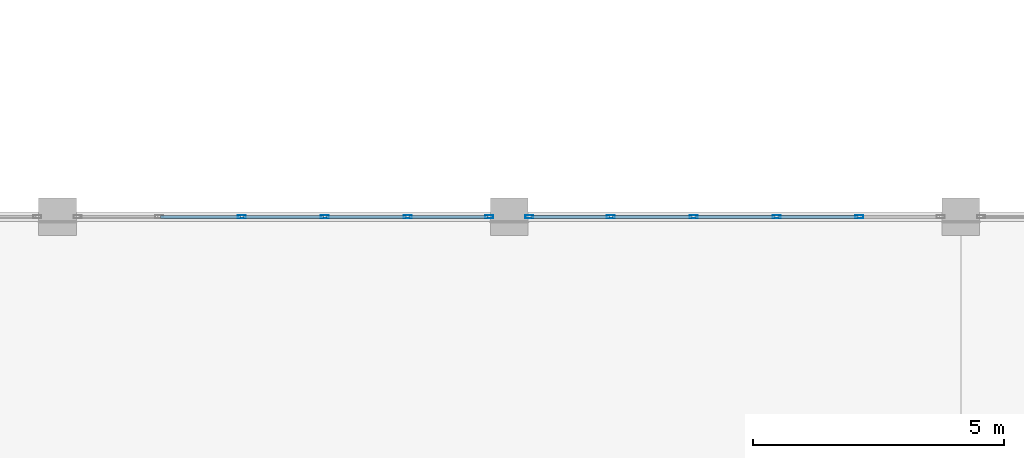
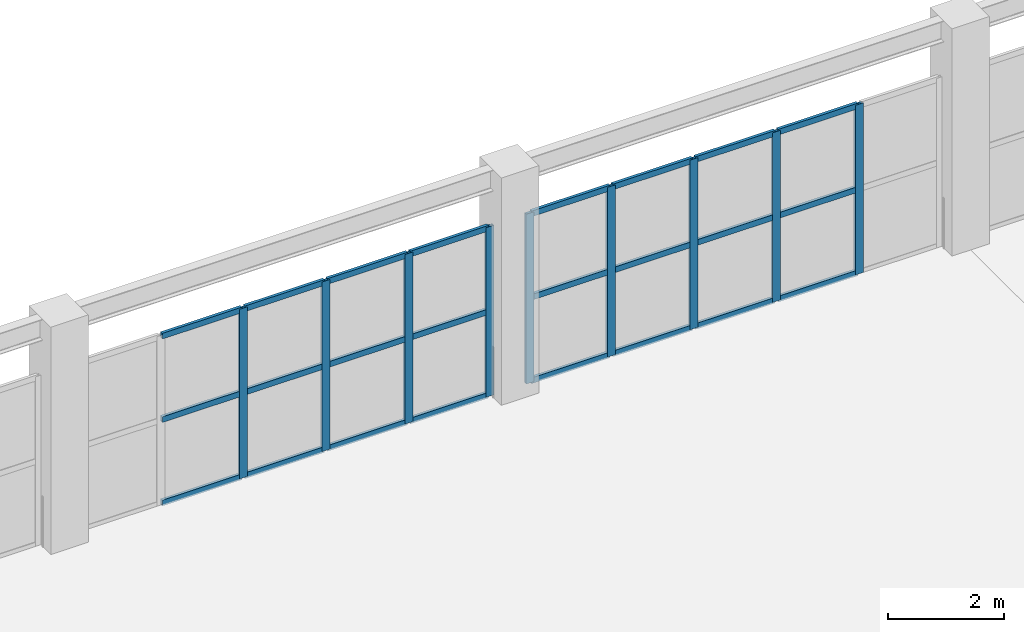
# One storey, part 44 of 89: 33 members, 2 elements without a shape of their own.
"""IFC4 building model written with IfcOpenShell, lengths in metres."""

from ifc_helpers import new_model, si_unit, direction, frame, origin, origin_2d, place, context, subcontext, project, spatial, hollow_rectangle, extrude, material, layer, layer_set, material_profile, profile_set, type_object, element, aggregate, save


model = new_model("IFC4")

# Units and contexts
model_context = context("Model", 3, precision=1e-05, world=origin(), true_north=direction((0.0, 1.0)))
body_context = subcontext(model_context, "Body", "Model", "MODEL_VIEW")
ifc_project = project(units=[si_unit("LENGTHUNIT", "METRE"), si_unit("AREAUNIT", "SQUARE_METRE"), si_unit("VOLUMEUNIT", "CUBIC_METRE"), si_unit("PLANEANGLEUNIT", "RADIAN"), si_unit("MASSUNIT", "GRAM", prefix="KILO")], contexts=[model_context])

# Site, building, storey
site_placement = place(None, origin())
site = spatial("IfcSite", under=ifc_project, at=site_placement, CompositionType="ELEMENT")
building_placement = place(site_placement, origin())
building = spatial("IfcBuilding", under=site, at=building_placement, Name="Dornveld Trade and Exhibition Forum", CompositionType="ELEMENT")
storey_placement = place(building_placement, frame((0.0, 0.0, 12.0)))
storey = spatial("IfcBuildingStorey", under=building, at=storey_placement, Name="L02", CompositionType="ELEMENT", Elevation=12.0)

# Curtain wall, members
ifc_material_1 = material(Name="Dark-bronze anodised aluminium and low-E glass", Category="aluminium")
ifc_layer_1 = layer(ifc_material_1, 0.154052734375)
ifc_layer_set_1 = layer_set([ifc_layer_1], Name="Dark-bronze anodised aluminium and low-E glass")
curtain_wall_type_1 = type_object("IfcCurtainWallType", Name="CW-SYS-04", PredefinedType="USERDEFINED", material=ifc_layer_set_1)
curtain_wall_1_placement = place(storey_placement, origin())
curtain_wall_1 = element("IfcCurtainWall", 1, at=curtain_wall_1_placement, inside=storey, type_object=curtain_wall_type_1, Name="L02 unitised curtain wall 22", ObjectType="UNITISED_CURTAIN_WALL", PredefinedType="USERDEFINED")
ifc_material_2 = material(Name="Dark-bronze anodised aluminium", Category="aluminium")
ifc_material_profile_1 = material_profile(ifc_material_2, hollow_rectangle(XDim=0.06005859375, YDim=0.159912109375, WallThickness=0.00390625, at=origin_2d()), Name="RHS 160x60x4")
ifc_profile_set_1 = profile_set([ifc_material_profile_1], Name="Dark-bronze anodised aluminium")
member_type_1 = type_object("IfcMemberType", Name="CW-MUL-160", PredefinedType="MULLION", material=ifc_profile_set_1)
member_1_placement = place(storey_placement, frame((44.59912109375, 135.0, -0.00390625), z_axis=(0.0, 0.0, 1.0), x_axis=(0.0, -1.0, 0.0)))
member_1 = element("IfcMember", 2, at=member_1_placement, type_object=member_type_1, Name="CW-04 mullion 1", PredefinedType="MULLION", context=body_context, shape_type="SweptSolid", body=[
    extrude(hollow_rectangle(XDim=0.06005859375, YDim=0.159912109375, WallThickness=0.00390625, at=origin_2d()), origin(), (0.0, 0.0, 1.0), 3.583984375),
])
member_2_placement = place(storey_placement, frame((42.977294921875, 135.0, -0.00390625), z_axis=(0.0, 0.0, 1.0), x_axis=(0.0, -1.0, 0.0)))
member_2 = element("IfcMember", 3, at=member_2_placement, type_object=member_type_1, Name="CW-04 mullion 2", PredefinedType="MULLION", context=body_context, shape_type="SweptSolid", body=[
    extrude(hollow_rectangle(XDim=0.06005859375, YDim=0.159912109375, WallThickness=0.00390625, at=origin_2d()), origin(), (0.0, 0.0, 1.0), 3.583984375),
])
member_3_placement = place(storey_placement, frame((41.32568359375, 135.0, -0.00390625), z_axis=(0.0, 0.0, 1.0), x_axis=(0.0, -1.0, 0.0)))
member_3 = element("IfcMember", 4, at=member_3_placement, type_object=member_type_1, Name="CW-04 mullion 3", PredefinedType="MULLION", context=body_context, shape_type="SweptSolid", body=[
    extrude(hollow_rectangle(XDim=0.06005859375, YDim=0.159912109375, WallThickness=0.00390625, at=origin_2d()), origin(), (0.0, 0.0, 1.0), 3.583984375),
])
member_4_placement = place(storey_placement, frame((39.67431640625, 135.0, -0.00390625), z_axis=(0.0, 0.0, 1.0), x_axis=(0.0, -1.0, 0.0)))
member_4 = element("IfcMember", 5, at=member_4_placement, type_object=member_type_1, Name="CW-04 mullion 4", PredefinedType="MULLION", context=body_context, shape_type="SweptSolid", body=[
    extrude(hollow_rectangle(XDim=0.06005859375, YDim=0.159912109375, WallThickness=0.00390625, at=origin_2d()), origin(), (0.0, 0.0, 1.0), 3.583984375),
])

ifc_material_3 = material(Name="Dark-bronze anodised aluminium and low-E glass", Category="aluminium")
ifc_layer_2 = layer(ifc_material_3, 0.159912109375)
ifc_layer_set_2 = layer_set([ifc_layer_2], Name="Dark-bronze anodised aluminium and low-E glass")
curtain_wall_type_2 = type_object("IfcCurtainWallType", Name="CW-SYS-06", PredefinedType="USERDEFINED", material=ifc_layer_set_2)
curtain_wall_2_placement = place(storey_placement, origin())
curtain_wall_2 = element("IfcCurtainWall", 6, at=curtain_wall_2_placement, inside=storey, type_object=curtain_wall_type_2, Name="L02 unitised curtain wall 24", ObjectType="UNITISED_CURTAIN_WALL", PredefinedType="USERDEFINED")
member_5_placement = place(storey_placement, frame((51.977294921875, 135.0, -0.00390625), z_axis=(0.0, 0.0, 1.0), x_axis=(0.0, -1.0, 0.0)))
member_5 = element("IfcMember", 7, at=member_5_placement, type_object=member_type_1, Name="CW-06 mullion 2", PredefinedType="MULLION", context=body_context, shape_type="SweptSolid", body=[
    extrude(hollow_rectangle(XDim=0.06005859375, YDim=0.159912109375, WallThickness=0.00390625, at=origin_2d()), origin(), (0.0, 0.0, 1.0), 3.583984375),
])
member_6_placement = place(storey_placement, frame((50.32568359375, 135.0, -0.00390625), z_axis=(0.0, 0.0, 1.0), x_axis=(0.0, -1.0, 0.0)))
member_6 = element("IfcMember", 8, at=member_6_placement, type_object=member_type_1, Name="CW-06 mullion 3", PredefinedType="MULLION", context=body_context, shape_type="SweptSolid", body=[
    extrude(hollow_rectangle(XDim=0.06005859375, YDim=0.159912109375, WallThickness=0.00390625, at=origin_2d()), origin(), (0.0, 0.0, 1.0), 3.583984375),
])
member_7_placement = place(storey_placement, frame((48.67431640625, 135.0, -0.00390625), z_axis=(0.0, 0.0, 1.0), x_axis=(0.0, -1.0, 0.0)))
member_7 = element("IfcMember", 9, at=member_7_placement, type_object=member_type_1, Name="CW-06 mullion 4", PredefinedType="MULLION", context=body_context, shape_type="SweptSolid", body=[
    extrude(hollow_rectangle(XDim=0.06005859375, YDim=0.159912109375, WallThickness=0.00390625, at=origin_2d()), origin(), (0.0, 0.0, 1.0), 3.583984375),
])
member_8_placement = place(storey_placement, frame((47.022705078125, 135.0, -0.00390625), z_axis=(0.0, 0.0, 1.0), x_axis=(0.0, -1.0, 0.0)))
member_8 = element("IfcMember", 10, at=member_8_placement, type_object=member_type_1, Name="CW-06 mullion 5", PredefinedType="MULLION", context=body_context, shape_type="SweptSolid", body=[
    extrude(hollow_rectangle(XDim=0.06005859375, YDim=0.159912109375, WallThickness=0.00390625, at=origin_2d()), origin(), (0.0, 0.0, 1.0), 3.583984375),
])
member_9_placement = place(storey_placement, frame((45.40087890625, 135.0, -0.00390625), z_axis=(0.0, 0.0, 1.0), x_axis=(0.0, -1.0, 0.0)))
member_9 = element("IfcMember", 11, at=member_9_placement, type_object=member_type_1, Name="CW-06 mullion 6", PredefinedType="MULLION", context=body_context, shape_type="SweptSolid", body=[
    extrude(hollow_rectangle(XDim=0.06005859375, YDim=0.159912109375, WallThickness=0.00390625, at=origin_2d()), origin(), (0.0, 0.0, 1.0), 3.583984375),
])

# Member
ifc_material_4 = material(Name="Dark-bronze anodised aluminium", Category="aluminium")
ifc_material_profile_2 = material_profile(ifc_material_4, hollow_rectangle(XDim=0.06005859375, YDim=0.1201171875, WallThickness=0.00390625, at=origin_2d()), Name="RHS 120x60x4")
ifc_profile_set_2 = profile_set([ifc_material_profile_2], Name="Dark-bronze anodised aluminium")
member_type_2 = type_object("IfcMemberType", Name="CW-TRN-120", PredefinedType="USERDEFINED", material=ifc_profile_set_2)
member_10_placement = place(storey_placement, frame((44.569091796875, 135.0, 0.02587890625), z_axis=(-1.0, 0.0, 0.0), x_axis=(0.0, -1.0, 0.0)))
member_10 = element("IfcMember", 12, at=member_10_placement, type_object=member_type_2, Name="CW-04 transom 1.1", ObjectType="TRANSOM", PredefinedType="USERDEFINED", context=body_context, shape_type="SweptSolid", body=[
    extrude(hollow_rectangle(XDim=0.06005859375, YDim=0.1201171875, WallThickness=0.00390625, at=origin_2d()), origin(), (0.0, 0.0, 1.0), 1.561767578125),
])

member_11_placement = place(storey_placement, frame((44.569091796875, 135.0, 1.7880859375), z_axis=(-1.0, 0.0, 0.0), x_axis=(0.0, -1.0, 0.0)))
member_11 = element("IfcMember", 13, at=member_11_placement, type_object=member_type_2, Name="CW-04 transom 1.2", ObjectType="TRANSOM", PredefinedType="USERDEFINED", context=body_context, shape_type="SweptSolid", body=[
    extrude(hollow_rectangle(XDim=0.06005859375, YDim=0.1201171875, WallThickness=0.00390625, at=origin_2d()), origin(), (0.0, 0.0, 1.0), 1.561767578125),
])

member_12_placement = place(storey_placement, frame((44.569091796875, 135.0, 3.550048828125), z_axis=(-1.0, 0.0, 0.0), x_axis=(0.0, -1.0, 0.0)))
member_12 = element("IfcMember", 14, at=member_12_placement, type_object=member_type_2, Name="CW-04 transom 1.3", ObjectType="TRANSOM", PredefinedType="USERDEFINED", context=body_context, shape_type="SweptSolid", body=[
    extrude(hollow_rectangle(XDim=0.06005859375, YDim=0.1201171875, WallThickness=0.00390625, at=origin_2d()), origin(), (0.0, 0.0, 1.0), 1.561767578125),
])

member_13_placement = place(storey_placement, frame((42.947509765625, 135.0, 0.02587890625), z_axis=(-1.0, 0.0, 0.0), x_axis=(0.0, -1.0, 0.0)))
member_13 = element("IfcMember", 15, at=member_13_placement, type_object=member_type_2, Name="CW-04 transom 2.1", ObjectType="TRANSOM", PredefinedType="USERDEFINED", context=body_context, shape_type="SweptSolid", body=[
    extrude(hollow_rectangle(XDim=0.06005859375, YDim=0.1201171875, WallThickness=0.00390625, at=origin_2d()), origin(), (0.0, 0.0, 1.0), 1.591796875),
])

member_14_placement = place(storey_placement, frame((42.947509765625, 135.0, 1.7880859375), z_axis=(-1.0, 0.0, 0.0), x_axis=(0.0, -1.0, 0.0)))
member_14 = element("IfcMember", 16, at=member_14_placement, type_object=member_type_2, Name="CW-04 transom 2.2", ObjectType="TRANSOM", PredefinedType="USERDEFINED", context=body_context, shape_type="SweptSolid", body=[
    extrude(hollow_rectangle(XDim=0.06005859375, YDim=0.1201171875, WallThickness=0.00390625, at=origin_2d()), origin(), (0.0, 0.0, 1.0), 1.591796875),
])

member_15_placement = place(storey_placement, frame((42.947509765625, 135.0, 3.550048828125), z_axis=(-1.0, 0.0, 0.0), x_axis=(0.0, -1.0, 0.0)))
member_15 = element("IfcMember", 17, at=member_15_placement, type_object=member_type_2, Name="CW-04 transom 2.3", ObjectType="TRANSOM", PredefinedType="USERDEFINED", context=body_context, shape_type="SweptSolid", body=[
    extrude(hollow_rectangle(XDim=0.06005859375, YDim=0.1201171875, WallThickness=0.00390625, at=origin_2d()), origin(), (0.0, 0.0, 1.0), 1.591796875),
])

member_16_placement = place(storey_placement, frame((41.2958984375, 135.0, 0.02587890625), z_axis=(-1.0, 0.0, 0.0), x_axis=(0.0, -1.0, 0.0)))
member_16 = element("IfcMember", 18, at=member_16_placement, type_object=member_type_2, Name="CW-04 transom 3.1", ObjectType="TRANSOM", PredefinedType="USERDEFINED", context=body_context, shape_type="SweptSolid", body=[
    extrude(hollow_rectangle(XDim=0.06005859375, YDim=0.1201171875, WallThickness=0.00390625, at=origin_2d()), origin(), (0.0, 0.0, 1.0), 1.591796875),
])

member_17_placement = place(storey_placement, frame((41.2958984375, 135.0, 1.7880859375), z_axis=(-1.0, 0.0, 0.0), x_axis=(0.0, -1.0, 0.0)))
member_17 = element("IfcMember", 19, at=member_17_placement, type_object=member_type_2, Name="CW-04 transom 3.2", ObjectType="TRANSOM", PredefinedType="USERDEFINED", context=body_context, shape_type="SweptSolid", body=[
    extrude(hollow_rectangle(XDim=0.06005859375, YDim=0.1201171875, WallThickness=0.00390625, at=origin_2d()), origin(), (0.0, 0.0, 1.0), 1.591796875),
])

member_18_placement = place(storey_placement, frame((41.2958984375, 135.0, 3.550048828125), z_axis=(-1.0, 0.0, 0.0), x_axis=(0.0, -1.0, 0.0)))
member_18 = element("IfcMember", 20, at=member_18_placement, type_object=member_type_2, Name="CW-04 transom 3.3", ObjectType="TRANSOM", PredefinedType="USERDEFINED", context=body_context, shape_type="SweptSolid", body=[
    extrude(hollow_rectangle(XDim=0.06005859375, YDim=0.1201171875, WallThickness=0.00390625, at=origin_2d()), origin(), (0.0, 0.0, 1.0), 1.591796875),
])

member_19_placement = place(storey_placement, frame((39.644287109375, 135.0, 0.02587890625), z_axis=(-1.0, 0.0, 0.0), x_axis=(0.0, -1.0, 0.0)))
member_19 = element("IfcMember", 21, at=member_19_placement, type_object=member_type_2, Name="CW-04 transom 4.1", ObjectType="TRANSOM", PredefinedType="USERDEFINED", context=body_context, shape_type="SweptSolid", body=[
    extrude(hollow_rectangle(XDim=0.06005859375, YDim=0.1201171875, WallThickness=0.00390625, at=origin_2d()), origin(), (0.0, 0.0, 1.0), 1.591796875),
])

member_20_placement = place(storey_placement, frame((39.644287109375, 135.0, 1.7880859375), z_axis=(-1.0, 0.0, 0.0), x_axis=(0.0, -1.0, 0.0)))
member_20 = element("IfcMember", 22, at=member_20_placement, type_object=member_type_2, Name="CW-04 transom 4.2", ObjectType="TRANSOM", PredefinedType="USERDEFINED", context=body_context, shape_type="SweptSolid", body=[
    extrude(hollow_rectangle(XDim=0.06005859375, YDim=0.1201171875, WallThickness=0.00390625, at=origin_2d()), origin(), (0.0, 0.0, 1.0), 1.591796875),
])

member_21_placement = place(storey_placement, frame((39.644287109375, 135.0, 3.550048828125), z_axis=(-1.0, 0.0, 0.0), x_axis=(0.0, -1.0, 0.0)))
member_21 = element("IfcMember", 23, at=member_21_placement, type_object=member_type_2, Name="CW-04 transom 4.3", ObjectType="TRANSOM", PredefinedType="USERDEFINED", context=body_context, shape_type="SweptSolid", body=[
    extrude(hollow_rectangle(XDim=0.06005859375, YDim=0.1201171875, WallThickness=0.00390625, at=origin_2d()), origin(), (0.0, 0.0, 1.0), 1.591796875),
])

aggregate(curtain_wall_1, [member_1, member_2, member_3, member_4, member_10, member_11, member_12, member_13, member_14, member_15, member_16, member_17, member_18, member_19, member_20, member_21])

member_22_placement = place(storey_placement, frame((51.947509765625, 135.0, 0.02587890625), z_axis=(-1.0, 0.0, 0.0), x_axis=(0.0, -1.0, 0.0)))
member_22 = element("IfcMember", 24, at=member_22_placement, type_object=member_type_2, Name="CW-06 transom 2.1", ObjectType="TRANSOM", PredefinedType="USERDEFINED", context=body_context, shape_type="SweptSolid", body=[
    extrude(hollow_rectangle(XDim=0.06005859375, YDim=0.1201171875, WallThickness=0.00390625, at=origin_2d()), origin(), (0.0, 0.0, 1.0), 1.591796875),
])

member_23_placement = place(storey_placement, frame((51.947509765625, 135.0, 1.7880859375), z_axis=(-1.0, 0.0, 0.0), x_axis=(0.0, -1.0, 0.0)))
member_23 = element("IfcMember", 25, at=member_23_placement, type_object=member_type_2, Name="CW-06 transom 2.2", ObjectType="TRANSOM", PredefinedType="USERDEFINED", context=body_context, shape_type="SweptSolid", body=[
    extrude(hollow_rectangle(XDim=0.06005859375, YDim=0.1201171875, WallThickness=0.00390625, at=origin_2d()), origin(), (0.0, 0.0, 1.0), 1.591796875),
])

member_24_placement = place(storey_placement, frame((51.947509765625, 135.0, 3.550048828125), z_axis=(-1.0, 0.0, 0.0), x_axis=(0.0, -1.0, 0.0)))
member_24 = element("IfcMember", 26, at=member_24_placement, type_object=member_type_2, Name="CW-06 transom 2.3", ObjectType="TRANSOM", PredefinedType="USERDEFINED", context=body_context, shape_type="SweptSolid", body=[
    extrude(hollow_rectangle(XDim=0.06005859375, YDim=0.1201171875, WallThickness=0.00390625, at=origin_2d()), origin(), (0.0, 0.0, 1.0), 1.591796875),
])

member_25_placement = place(storey_placement, frame((50.2958984375, 135.0, 0.02587890625), z_axis=(-1.0, 0.0, 0.0), x_axis=(0.0, -1.0, 0.0)))
member_25 = element("IfcMember", 27, at=member_25_placement, type_object=member_type_2, Name="CW-06 transom 3.1", ObjectType="TRANSOM", PredefinedType="USERDEFINED", context=body_context, shape_type="SweptSolid", body=[
    extrude(hollow_rectangle(XDim=0.06005859375, YDim=0.1201171875, WallThickness=0.00390625, at=origin_2d()), origin(), (0.0, 0.0, 1.0), 1.591796875),
])

member_26_placement = place(storey_placement, frame((50.2958984375, 135.0, 1.7880859375), z_axis=(-1.0, 0.0, 0.0), x_axis=(0.0, -1.0, 0.0)))
member_26 = element("IfcMember", 28, at=member_26_placement, type_object=member_type_2, Name="CW-06 transom 3.2", ObjectType="TRANSOM", PredefinedType="USERDEFINED", context=body_context, shape_type="SweptSolid", body=[
    extrude(hollow_rectangle(XDim=0.06005859375, YDim=0.1201171875, WallThickness=0.00390625, at=origin_2d()), origin(), (0.0, 0.0, 1.0), 1.591796875),
])

member_27_placement = place(storey_placement, frame((50.2958984375, 135.0, 3.550048828125), z_axis=(-1.0, 0.0, 0.0), x_axis=(0.0, -1.0, 0.0)))
member_27 = element("IfcMember", 29, at=member_27_placement, type_object=member_type_2, Name="CW-06 transom 3.3", ObjectType="TRANSOM", PredefinedType="USERDEFINED", context=body_context, shape_type="SweptSolid", body=[
    extrude(hollow_rectangle(XDim=0.06005859375, YDim=0.1201171875, WallThickness=0.00390625, at=origin_2d()), origin(), (0.0, 0.0, 1.0), 1.591796875),
])

member_28_placement = place(storey_placement, frame((48.644287109375, 135.0, 0.02587890625), z_axis=(-1.0, 0.0, 0.0), x_axis=(0.0, -1.0, 0.0)))
member_28 = element("IfcMember", 30, at=member_28_placement, type_object=member_type_2, Name="CW-06 transom 4.1", ObjectType="TRANSOM", PredefinedType="USERDEFINED", context=body_context, shape_type="SweptSolid", body=[
    extrude(hollow_rectangle(XDim=0.06005859375, YDim=0.1201171875, WallThickness=0.00390625, at=origin_2d()), origin(), (0.0, 0.0, 1.0), 1.591796875),
])

member_29_placement = place(storey_placement, frame((48.644287109375, 135.0, 1.7880859375), z_axis=(-1.0, 0.0, 0.0), x_axis=(0.0, -1.0, 0.0)))
member_29 = element("IfcMember", 31, at=member_29_placement, type_object=member_type_2, Name="CW-06 transom 4.2", ObjectType="TRANSOM", PredefinedType="USERDEFINED", context=body_context, shape_type="SweptSolid", body=[
    extrude(hollow_rectangle(XDim=0.06005859375, YDim=0.1201171875, WallThickness=0.00390625, at=origin_2d()), origin(), (0.0, 0.0, 1.0), 1.591796875),
])

member_30_placement = place(storey_placement, frame((48.644287109375, 135.0, 3.550048828125), z_axis=(-1.0, 0.0, 0.0), x_axis=(0.0, -1.0, 0.0)))
member_30 = element("IfcMember", 32, at=member_30_placement, type_object=member_type_2, Name="CW-06 transom 4.3", ObjectType="TRANSOM", PredefinedType="USERDEFINED", context=body_context, shape_type="SweptSolid", body=[
    extrude(hollow_rectangle(XDim=0.06005859375, YDim=0.1201171875, WallThickness=0.00390625, at=origin_2d()), origin(), (0.0, 0.0, 1.0), 1.591796875),
])

member_31_placement = place(storey_placement, frame((46.99267578125, 135.0, 0.02587890625), z_axis=(-1.0, 0.0, 0.0), x_axis=(0.0, -1.0, 0.0)))
member_31 = element("IfcMember", 33, at=member_31_placement, type_object=member_type_2, Name="CW-06 transom 5.1", ObjectType="TRANSOM", PredefinedType="USERDEFINED", context=body_context, shape_type="SweptSolid", body=[
    extrude(hollow_rectangle(XDim=0.06005859375, YDim=0.1201171875, WallThickness=0.00390625, at=origin_2d()), origin(), (0.0, 0.0, 1.0), 1.561767578125),
])

member_32_placement = place(storey_placement, frame((46.99267578125, 135.0, 1.7880859375), z_axis=(-1.0, 0.0, 0.0), x_axis=(0.0, -1.0, 0.0)))
member_32 = element("IfcMember", 34, at=member_32_placement, type_object=member_type_2, Name="CW-06 transom 5.2", ObjectType="TRANSOM", PredefinedType="USERDEFINED", context=body_context, shape_type="SweptSolid", body=[
    extrude(hollow_rectangle(XDim=0.06005859375, YDim=0.1201171875, WallThickness=0.00390625, at=origin_2d()), origin(), (0.0, 0.0, 1.0), 1.561767578125),
])

member_33_placement = place(storey_placement, frame((46.99267578125, 135.0, 3.550048828125), z_axis=(-1.0, 0.0, 0.0), x_axis=(0.0, -1.0, 0.0)))
member_33 = element("IfcMember", 35, at=member_33_placement, type_object=member_type_2, Name="CW-06 transom 5.3", ObjectType="TRANSOM", PredefinedType="USERDEFINED", context=body_context, shape_type="SweptSolid", body=[
    extrude(hollow_rectangle(XDim=0.06005859375, YDim=0.1201171875, WallThickness=0.00390625, at=origin_2d()), origin(), (0.0, 0.0, 1.0), 1.561767578125),
])

aggregate(curtain_wall_2, [member_5, member_6, member_7, member_8, member_9, member_22, member_23, member_24, member_25, member_26, member_27, member_28, member_29, member_30, member_31, member_32, member_33])

save(model, "model.ifc")
